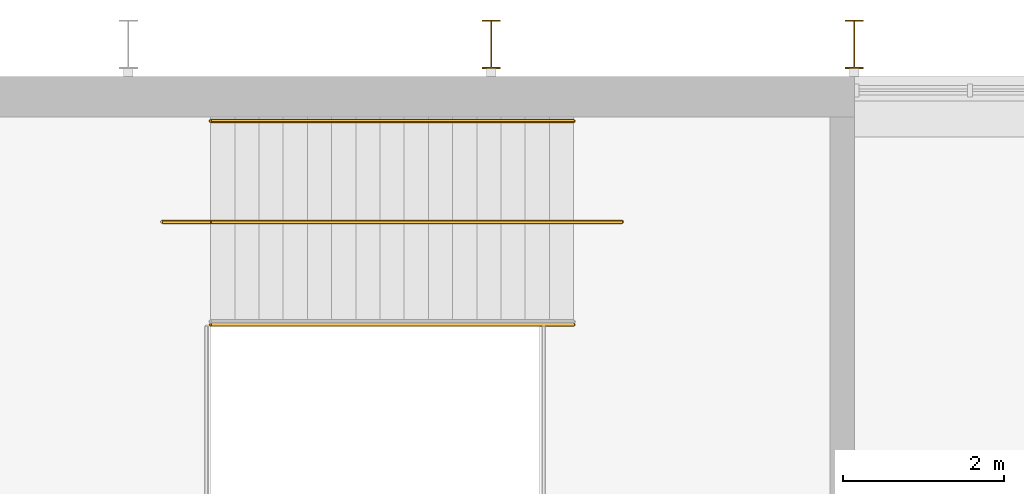
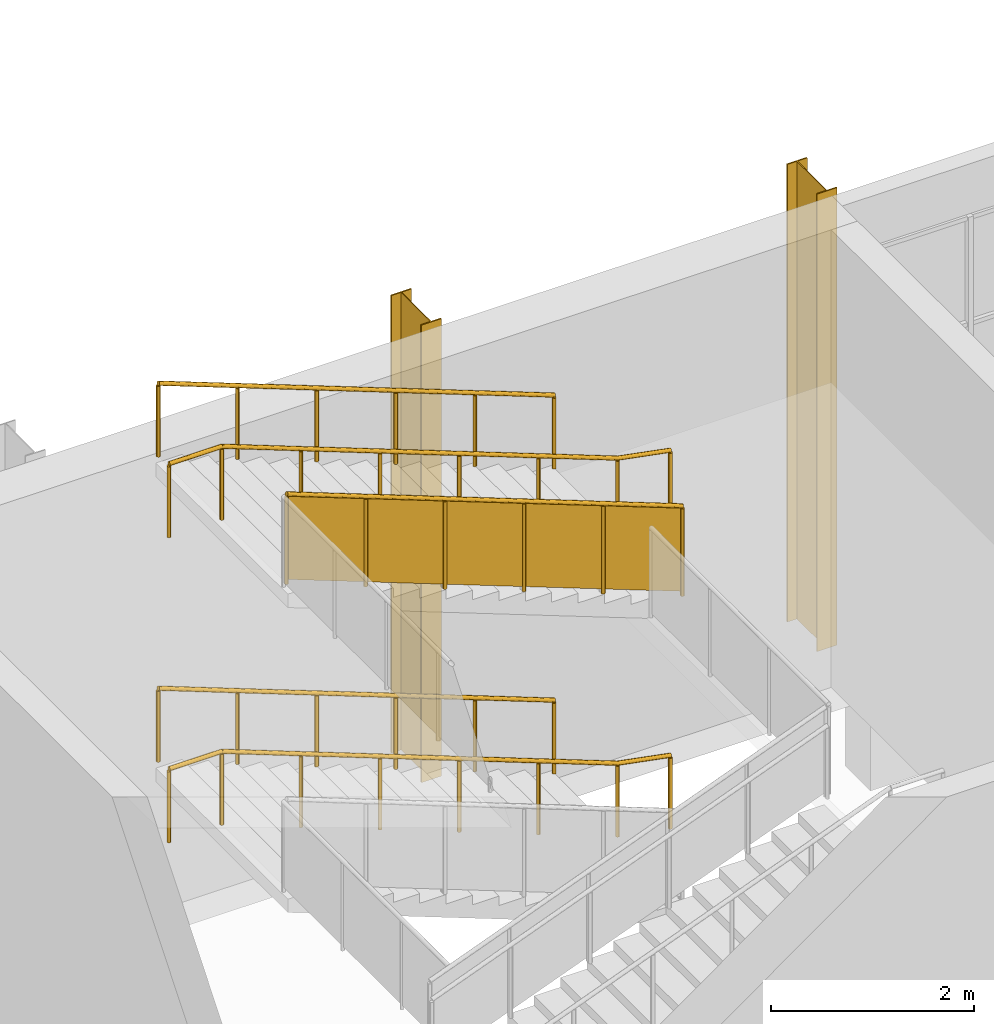
# One storey, part 74 of 84: 5 railings, 2 shading devices.
"""IFC4 building model written with IfcOpenShell, lengths in metres."""

from ifc_helpers import new_model, si_unit, direction, frame, origin, origin_2d, place, context, subcontext, project, spatial, polyline, circle, i_section, outline, extrude, material, material_profile, profile_set, type_object, element, save


model = new_model("IFC4")

# Units and contexts
model_context = context("Model", 3, precision=1e-05, world=origin(), true_north=direction((0.0, 1.0)))
body_context = subcontext(model_context, "Body", "Model", "MODEL_VIEW")
ifc_project = project(units=[si_unit("LENGTHUNIT", "METRE"), si_unit("AREAUNIT", "SQUARE_METRE"), si_unit("VOLUMEUNIT", "CUBIC_METRE"), si_unit("PLANEANGLEUNIT", "RADIAN"), si_unit("MASSUNIT", "GRAM", prefix="KILO")], contexts=[model_context])

# Site, building, storey
site_placement = place(None, origin())
site = spatial("IfcSite", under=ifc_project, at=site_placement, CompositionType="ELEMENT")
building_placement = place(site_placement, origin())
building = spatial("IfcBuilding", under=site, at=building_placement, Name="Silverbay Arena", CompositionType="ELEMENT")
storey_placement = place(building_placement, frame((0.0, 0.0, 28.0)))
storey = spatial("IfcBuildingStorey", under=building, at=storey_placement, Name="L04", CompositionType="ELEMENT", Elevation=28.0)

# Railings
ifc_material_1 = material(Name="Stainless steel", Category="steel")
railing_type_1 = type_object("IfcRailingType", Name="Stair guard 1100", PredefinedType="GUARDRAIL", material=ifc_material_1)
railing_1_placement = place(storey_placement, frame((113.5205078125, 141.425048828125, 3.78125)))
element("IfcRailing", 1, at=railing_1_placement, inside=storey, type_object=railing_type_1, Name="Stair ST-N2 L04 to L05 flight 3 guard left", PredefinedType="GUARDRAIL", context=body_context, shape_type="SweptSolid", body=[
    extrude(circle(Radius=0.02392578125, at=origin_2d()), frame((0.0, 0.0, 1.076171875), z_axis=(-0.93417907455, 0.0, 0.356804507641), x_axis=(0.0, -1.0, 0.0)), (0.0, 0.0, 1.0), 4.817138671875),
    extrude(outline(polyline([(-0.008056640625, 0.046875), (0.907958984375, 0.396728515625), (0.907958984375, 1.39990234375), (-0.008056640625, 1.050048828125), (-0.008056640625, 0.046875)])), frame((0.0, -0.0029296875, 0.0), z_axis=(0.0, 1.0, 0.0), x_axis=(-1.0, 0.0, 0.0)), (0.0, 0.0, 1.0), 0.006103515625),
    extrude(outline(polyline([(-0.008056640625, 0.390625), (0.907958984375, 0.740478515625), (0.907958984375, 1.74365234375), (-0.008056640625, 1.393798828125), (-0.008056640625, 0.390625)])), frame((-0.89990234375, -0.0029296875, 0.0), z_axis=(0.0, 1.0, 0.0), x_axis=(-1.0, 0.0, 0.0)), (0.0, 0.0, 1.0), 0.006103515625),
    extrude(outline(polyline([(-0.008056640625, 0.734375), (0.907958984375, 1.084228515625), (0.907958984375, 2.08740234375), (-0.008056640625, 1.737548828125), (-0.008056640625, 0.734375)])), frame((-1.800048828125, -0.0029296875, 0.0), z_axis=(0.0, 1.0, 0.0), x_axis=(-1.0, 0.0, 0.0)), (0.0, 0.0, 1.0), 0.006103515625),
    extrude(outline(polyline([(-0.008056640625, 1.078125), (0.907958984375, 1.427978515625), (0.907958984375, 2.43115234375), (-0.008056640625, 2.081298828125), (-0.008056640625, 1.078125)])), frame((-2.699951171875, -0.0029296875, 0.0), z_axis=(0.0, 1.0, 0.0), x_axis=(-1.0, 0.0, 0.0)), (0.0, 0.0, 1.0), 0.006103515625),
    extrude(outline(polyline([(-0.008056640625, 1.421875), (0.907958984375, 1.771728515625), (0.907958984375, 2.77490234375), (-0.008056640625, 2.425048828125), (-0.008056640625, 1.421875)])), frame((-3.60009765625, -0.0029296875, 0.0), z_axis=(0.0, 1.0, 0.0), x_axis=(-1.0, 0.0, 0.0)), (0.0, 0.0, 1.0), 0.006103515625),
    extrude(circle(Radius=0.02099609375, at=origin_2d()), origin(), (0.0, 0.0, 1.0), 1.052001953125),
    extrude(circle(Radius=0.02099609375, at=origin_2d()), frame((-0.89990234375, 0.0, 0.34375)), (0.0, 0.0, 1.0), 1.052001953125),
    extrude(circle(Radius=0.02099609375, at=origin_2d()), frame((-1.800048828125, 0.0, 0.6875)), (0.0, 0.0, 1.0), 1.052001953125),
    extrude(circle(Radius=0.02099609375, at=origin_2d()), frame((-2.699951171875, 0.0, 1.03125)), (0.0, 0.0, 1.0), 1.052001953125),
    extrude(circle(Radius=0.02099609375, at=origin_2d()), frame((-3.60009765625, 0.0, 1.375)), (0.0, 0.0, 1.0), 1.052001953125),
    extrude(circle(Radius=0.02099609375, at=origin_2d()), frame((-4.5, 0.0, 1.71875)), (0.0, 0.0, 1.0), 1.052001953125),
])
ifc_material_2 = material(Name="Stainless steel", Category="steel")
railing_type_2 = type_object("IfcRailingType", Name="Stair handrail 900", PredefinedType="HANDRAIL", material=ifc_material_2)
railing_2_placement = place(storey_placement, frame((113.5205078125, 143.949951171875, 0.114501953125)))
element("IfcRailing", 2, at=railing_2_placement, inside=storey, type_object=railing_type_2, Name="Stair ST-N2 L04 to L05 flight 1 handrail right", PredefinedType="HANDRAIL", context=body_context, shape_type="SweptSolid", body=[
    extrude(circle(Radius=0.02392578125, at=origin_2d()), frame((0.0, 0.0, 0.8759765625), z_axis=(-0.93417907455, 0.0, 0.356804507641), x_axis=(0.0, -1.0, 0.0)), (0.0, 0.0, 1.0), 4.817138671875),
    extrude(circle(Radius=0.02099609375, at=origin_2d()), origin(), (0.0, 0.0, 1.0), 0.851806640625),
    extrude(circle(Radius=0.02099609375, at=origin_2d()), frame((-0.89990234375, 0.0, 0.34375)), (0.0, 0.0, 1.0), 0.851806640625),
    extrude(circle(Radius=0.02099609375, at=origin_2d()), frame((-1.800048828125, 0.0, 0.6875)), (0.0, 0.0, 1.0), 0.851806640625),
    extrude(circle(Radius=0.02099609375, at=origin_2d()), frame((-2.699951171875, 0.0, 1.03125)), (0.0, 0.0, 1.0), 0.851806640625),
    extrude(circle(Radius=0.02099609375, at=origin_2d()), frame((-3.60009765625, 0.0, 1.375)), (0.0, 0.0, 1.0), 0.851806640625),
    extrude(circle(Radius=0.02099609375, at=origin_2d()), frame((-4.5, 0.0, 1.71875)), (0.0, 0.0, 1.0), 0.851806640625),
])
railing_3_placement = place(storey_placement, frame((114.120361328125, 142.699951171875, 0.0)))
element("IfcRailing", 3, at=railing_3_placement, inside=storey, type_object=railing_type_2, Name="Stair ST-N2 L04 to L05 flight 1 central handrail", PredefinedType="HANDRAIL", context=body_context, shape_type="SweptSolid", body=[
    extrude(circle(Radius=0.02392578125, at=origin_2d()), frame((0.0, 0.0, 0.8759765625), z_axis=(-0.982265007716, 0.0, 0.187497878966), x_axis=(0.0, -1.0, 0.0)), (0.0, 0.0, 1.0), 0.610595703125),
    extrude(circle(Radius=0.02392578125, at=origin_2d()), frame((-0.599853515625, 0.0, 0.990234375), z_axis=(-0.93417907455, 0.0, 0.356804507641), x_axis=(0.0, -1.0, 0.0)), (0.0, 0.0, 1.0), 4.817138671875),
    extrude(circle(Radius=0.02392578125, at=origin_2d()), frame((-5.099853515625, 0.0, 2.708984375), z_axis=(-1.0, 0.0, 0.0), x_axis=(0.0, -1.0, 0.0)), (0.0, 0.0, 1.0), 0.60009765625),
    extrude(circle(Radius=0.02099609375, at=origin_2d()), origin(), (0.0, 0.0, 1.0), 0.851806640625),
    extrude(circle(Radius=0.02099609375, at=origin_2d()), frame((-0.599853515625, 0.0, 0.114501953125)), (0.0, 0.0, 1.0), 0.851806640625),
    extrude(circle(Radius=0.02099609375, at=origin_2d()), frame((-1.499755859375, 0.0, 0.458251953125)), (0.0, 0.0, 1.0), 0.851806640625),
    extrude(circle(Radius=0.02099609375, at=origin_2d()), frame((-2.39990234375, 0.0, 0.802001953125)), (0.0, 0.0, 1.0), 0.851806640625),
    extrude(circle(Radius=0.02099609375, at=origin_2d()), frame((-3.2998046875, 0.0, 1.145751953125)), (0.0, 0.0, 1.0), 0.851806640625),
    extrude(circle(Radius=0.02099609375, at=origin_2d()), frame((-4.199951171875, 0.0, 1.489501953125)), (0.0, 0.0, 1.0), 0.851806640625),
    extrude(circle(Radius=0.02099609375, at=origin_2d()), frame((-5.099853515625, 0.0, 1.833251953125)), (0.0, 0.0, 1.0), 0.851806640625),
    extrude(circle(Radius=0.02099609375, at=origin_2d()), frame((-5.699951171875, 0.0, 1.833251953125)), (0.0, 0.0, 1.0), 0.851806640625),
])
railing_4_placement = place(storey_placement, frame((113.5205078125, 143.949951171875, 3.78125)))
element("IfcRailing", 4, at=railing_4_placement, inside=storey, type_object=railing_type_2, Name="Stair ST-N2 L04 to L05 flight 3 handrail right", PredefinedType="HANDRAIL", context=body_context, shape_type="SweptSolid", body=[
    extrude(circle(Radius=0.02392578125, at=origin_2d()), frame((0.0, 0.0, 0.8759765625), z_axis=(-0.93417907455, 0.0, 0.356804507641), x_axis=(0.0, -1.0, 0.0)), (0.0, 0.0, 1.0), 4.817138671875),
    extrude(circle(Radius=0.02099609375, at=origin_2d()), origin(), (0.0, 0.0, 1.0), 0.851806640625),
    extrude(circle(Radius=0.02099609375, at=origin_2d()), frame((-0.89990234375, 0.0, 0.34375)), (0.0, 0.0, 1.0), 0.851806640625),
    extrude(circle(Radius=0.02099609375, at=origin_2d()), frame((-1.800048828125, 0.0, 0.6875)), (0.0, 0.0, 1.0), 0.851806640625),
    extrude(circle(Radius=0.02099609375, at=origin_2d()), frame((-2.699951171875, 0.0, 1.03125)), (0.0, 0.0, 1.0), 0.851806640625),
    extrude(circle(Radius=0.02099609375, at=origin_2d()), frame((-3.60009765625, 0.0, 1.375)), (0.0, 0.0, 1.0), 0.851806640625),
    extrude(circle(Radius=0.02099609375, at=origin_2d()), frame((-4.5, 0.0, 1.71875)), (0.0, 0.0, 1.0), 0.851806640625),
])
railing_5_placement = place(storey_placement, frame((114.120361328125, 142.699951171875, 3.666748046875)))
element("IfcRailing", 5, at=railing_5_placement, inside=storey, type_object=railing_type_2, Name="Stair ST-N2 L04 to L05 flight 3 central handrail", PredefinedType="HANDRAIL", context=body_context, shape_type="SweptSolid", body=[
    extrude(circle(Radius=0.02392578125, at=origin_2d()), frame((0.0, 0.0, 0.8759765625), z_axis=(-0.982265007716, 0.0, 0.187497878966), x_axis=(0.0, -1.0, 0.0)), (0.0, 0.0, 1.0), 0.610595703125),
    extrude(circle(Radius=0.02392578125, at=origin_2d()), frame((-0.599853515625, 0.0, 0.990234375), z_axis=(-0.93417907455, 0.0, 0.356804507641), x_axis=(0.0, -1.0, 0.0)), (0.0, 0.0, 1.0), 4.817138671875),
    extrude(circle(Radius=0.02392578125, at=origin_2d()), frame((-5.099853515625, 0.0, 2.708984375), z_axis=(-1.0, 0.0, 0.0), x_axis=(0.0, -1.0, 0.0)), (0.0, 0.0, 1.0), 0.60009765625),
    extrude(circle(Radius=0.02099609375, at=origin_2d()), origin(), (0.0, 0.0, 1.0), 0.851806640625),
    extrude(circle(Radius=0.02099609375, at=origin_2d()), frame((-0.599853515625, 0.0, 0.114501953125)), (0.0, 0.0, 1.0), 0.851806640625),
    extrude(circle(Radius=0.02099609375, at=origin_2d()), frame((-1.499755859375, 0.0, 0.458251953125)), (0.0, 0.0, 1.0), 0.851806640625),
    extrude(circle(Radius=0.02099609375, at=origin_2d()), frame((-2.39990234375, 0.0, 0.802001953125)), (0.0, 0.0, 1.0), 0.851806640625),
    extrude(circle(Radius=0.02099609375, at=origin_2d()), frame((-3.2998046875, 0.0, 1.145751953125)), (0.0, 0.0, 1.0), 0.851806640625),
    extrude(circle(Radius=0.02099609375, at=origin_2d()), frame((-4.199951171875, 0.0, 1.489501953125)), (0.0, 0.0, 1.0), 0.851806640625),
    extrude(circle(Radius=0.02099609375, at=origin_2d()), frame((-5.099853515625, 0.0, 1.833251953125)), (0.0, 0.0, 1.0), 0.851806640625),
    extrude(circle(Radius=0.02099609375, at=origin_2d()), frame((-5.699951171875, 0.0, 1.833251953125)), (0.0, 0.0, 1.0), 0.851806640625),
])

# Shading devices
ifc_material_3 = material(Name="Steel S355", Category="steel")
ifc_material_profile = material_profile(ifc_material_3, i_section(OverallWidth=0.2275390625, OverallDepth=0.6025390625, WebThickness=0.010498046875, FlangeThickness=0.014892578125, at=origin_2d()), Name="UB 610x229x101")
ifc_profile_set = profile_set([ifc_material_profile], Name="Steel S355")
shading_device_type = type_object("IfcShadingDeviceType", Name="Steel fin UB 610x229x101", PredefinedType="USERDEFINED", material=ifc_profile_set)
for number, where, z_axis, x_axis, name in (
    (6, (112.5, 144.9013671875, 0.0), (0.0, 0.0, 1.0), (1.0, 0.0, 0.0), "Steel fin N L04 13"),
    (7, (117.0, 144.9013671875, 0.0), (0.0, 0.0, 1.0), (1.0, 0.0, 0.0), "Steel fin N L04 14"),
):
    element("IfcShadingDevice", number, at=place(storey_placement, frame(where, z_axis=z_axis, x_axis=x_axis)), inside=storey, type_object=shading_device_type, Name=name, ObjectType="FIN", PredefinedType="USERDEFINED", context=body_context, shape_type="SweptSolid", body=[
        extrude(i_section(OverallWidth=0.2275390625, OverallDepth=0.6025390625, WebThickness=0.010498046875, FlangeThickness=0.014892578125, at=origin_2d()), origin(), (0.0, 0.0, 1.0), 5.5),
    ])

save(model, "model.ifc")
